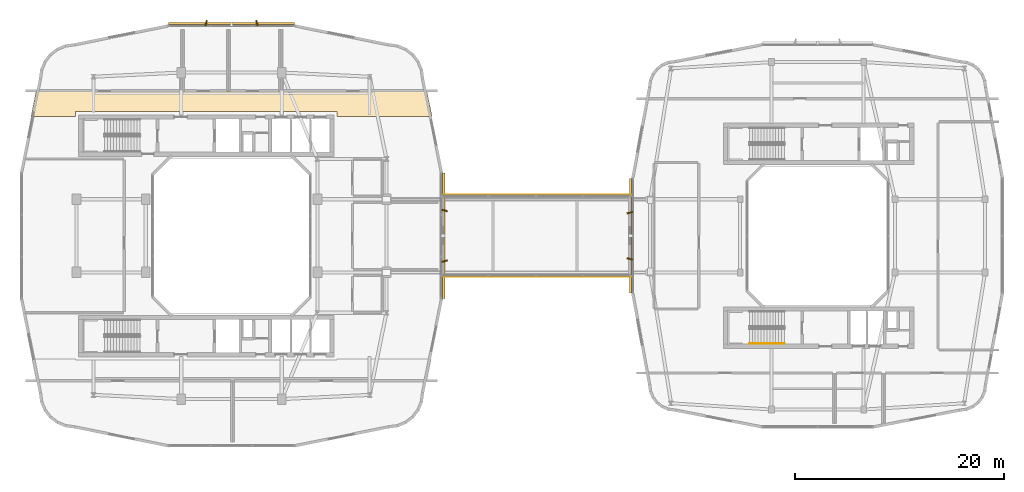
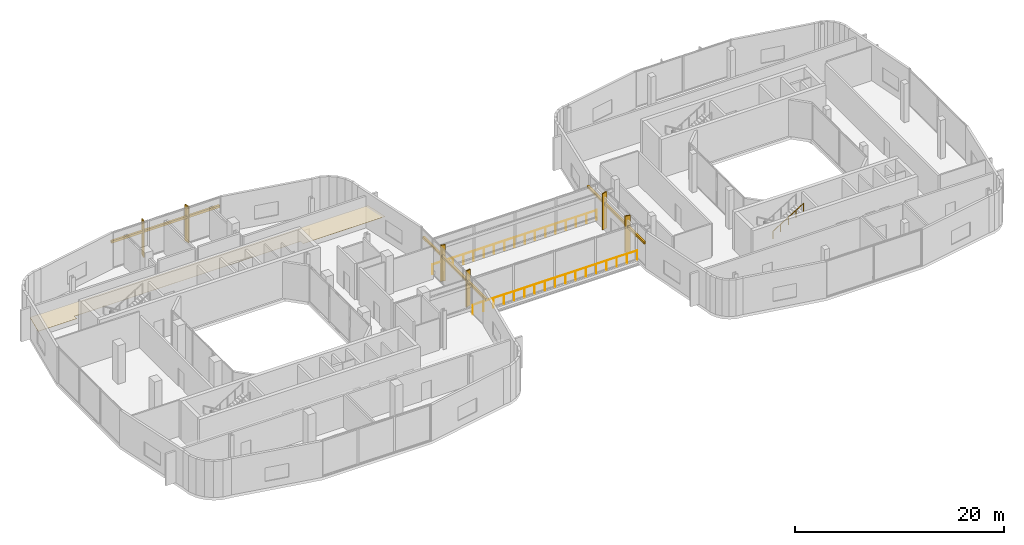
# One storey, part 23 of 24: 9 shading devices, 3 railings, 1 covering.
"""IFC4 building model written with IfcOpenShell, lengths in metres."""

from ifc_helpers import new_model, si_unit, derived_unit, direction, frame, origin, origin_2d, place, context, subcontext, project, spatial, polyline, rectangle, circle, outline, extrude, material, layer, layer_set, type_object, element, save


model = new_model("IFC4")

# Units and contexts
model_context = context("Model", 3, precision=1e-05, world=origin(), true_north=direction((0.0, 1.0)))
body_context = subcontext(model_context, "Body", "Model", "MODEL_VIEW")
ifc_project = project(units=[si_unit("LENGTHUNIT", "METRE"), si_unit("AREAUNIT", "SQUARE_METRE"), si_unit("VOLUMEUNIT", "CUBIC_METRE"), si_unit("PLANEANGLEUNIT", "RADIAN"), si_unit("MASSUNIT", "GRAM", prefix="KILO"), derived_unit("THERMALTRANSMITTANCEUNIT", [(si_unit("POWERUNIT", "WATT"), 1), (si_unit("LENGTHUNIT", "METRE"), -2), (si_unit("THERMODYNAMICTEMPERATUREUNIT", "KELVIN"), -1)])], contexts=[model_context])

# Site, building, storey
site_placement = place(None, origin())
site = spatial("IfcSite", under=ifc_project, at=site_placement, CompositionType="ELEMENT")
building_placement = place(site_placement, origin())
building = spatial("IfcBuilding", under=site, at=building_placement, Name="Kivonza Crest Hotel", CompositionType="ELEMENT")
storey_placement = place(building_placement, frame((0.0, 0.0, 119.5)))
storey = spatial("IfcBuildingStorey", under=building, at=storey_placement, Name="L32", CompositionType="ELEMENT", Elevation=119.5)

# Covering
ifc_material_1 = material(Name="Mineral-fibre acoustic ceiling tile", Category="gypsum")
ifc_layer = layer(ifc_material_1, 0.02490234375)
ifc_layer_set = layer_set([ifc_layer], Name="Mineral-fibre acoustic ceiling tile")
covering_type = type_object("IfcCoveringType", Name="CV-CEIL-ACOU", PredefinedType="CEILING", material=ifc_layer_set)
covering_placement = place(storey_placement, frame((0.0, 0.0, 2.449951171875)))
element("IfcCovering", 1, at=covering_placement, inside=storey, type_object=covering_type, Name="L32 Sky Lobby North Circulation Corridor suspended ceiling", PredefinedType="CEILING", context=body_context, shape_type="SweptSolid", body=[
    extrude(outline(polyline([(2.324951171875, 38.840087890625), (1.8359375, 36.409912109375), (6.10009765625, 36.409912109375), (6.10009765625, 36.860107421875), (31.10009765625, 36.860107421875), (31.10009765625, 36.409912109375), (40.1640625, 36.409912109375), (39.675048828125, 38.840087890625), (2.324951171875, 38.840087890625)])), origin(), (0.0, 0.0, 1.0), 0.025146484375),
])

# Railings
ifc_material_2 = material(Name="Brushed stainless steel handrail", Category="steel")
railing_type_1 = type_object("IfcRailingType", Name="RL-HAND-900", PredefinedType="HANDRAIL", material=ifc_material_2)
railing_1_placement = place(storey_placement, frame((70.47998046875, 14.7099609375, 2.423095703125)))
element("IfcRailing", 2, at=railing_1_placement, inside=storey, type_object=railing_type_1, Name="L32 ST-T2-S stair handrail 2", PredefinedType="HANDRAIL", context=body_context, shape_type="SweptSolid", body=[
    extrude(circle(Radius=0.02392578125, at=origin_2d()), frame((0.0, 0.0, 0.8759765625), z_axis=(0.850623216509, 0.0, 0.525775754039), x_axis=(0.0, 1.0, 0.0)), (0.0, 0.0, 1.0), 3.9501953125),
    extrude(circle(Radius=0.02099609375, at=origin_2d()), origin(), (0.0, 0.0, 1.0), 0.851806640625),
    extrude(circle(Radius=0.02099609375, at=origin_2d()), frame((0.840087890625, 0.0, 0.519287109375)), (0.0, 0.0, 1.0), 0.851806640625),
    extrude(circle(Radius=0.02099609375, at=origin_2d()), frame((1.68017578125, 0.0, 1.03857421875)), (0.0, 0.0, 1.0), 0.851806640625),
    extrude(circle(Radius=0.02099609375, at=origin_2d()), frame((2.52001953125, 0.0, 1.5576171875)), (0.0, 0.0, 1.0), 0.851806640625),
    extrude(circle(Radius=0.02099609375, at=origin_2d()), frame((3.360107421875, 0.0, 2.076904296875)), (0.0, 0.0, 1.0), 0.851806640625),
])
ifc_material_3 = material(Name="Laminated glass and stainless steel balustrade", Category="steel")
railing_type_2 = type_object("IfcRailingType", Name="RL-TERR-1150", PredefinedType="BALUSTRADE", material=ifc_material_3)
railing_2_placement = place(storey_placement, frame((41.050048828125, 21.1201171875, 0.0)))
element("IfcRailing", 3, at=railing_2_placement, inside=storey, type_object=railing_type_2, Name="Skybridge BR1 L32 South deck safety guard", PredefinedType="BALUSTRADE", context=body_context, shape_type="SweptSolid", body=[
    extrude(circle(Radius=0.02392578125, at=origin_2d()), frame((0.0, 0.0, 1.1259765625), z_axis=(1.0, 0.0, 0.0), x_axis=(0.0, 1.0, 0.0)), (0.0, 0.0, 1.0), 18.1298828125),
    extrude(circle(Radius=0.02099609375, at=origin_2d()), origin(), (0.0, 0.0, 1.0), 1.101806640625),
    extrude(circle(Radius=0.02099609375, at=origin_2d()), frame((1.133056640625, 0.0, 0.0)), (0.0, 0.0, 1.0), 1.101806640625),
    extrude(circle(Radius=0.02099609375, at=origin_2d()), frame((2.26611328125, 0.0, 0.0)), (0.0, 0.0, 1.0), 1.101806640625),
    extrude(circle(Radius=0.02099609375, at=origin_2d()), frame((3.3994140625, 0.0, 0.0)), (0.0, 0.0, 1.0), 1.101806640625),
    extrude(circle(Radius=0.02099609375, at=origin_2d()), frame((4.532470703125, 0.0, 0.0)), (0.0, 0.0, 1.0), 1.101806640625),
    extrude(circle(Radius=0.02099609375, at=origin_2d()), frame((5.66552734375, 0.0, 0.0)), (0.0, 0.0, 1.0), 1.101806640625),
    extrude(circle(Radius=0.02099609375, at=origin_2d()), frame((6.798828125, 0.0, 0.0)), (0.0, 0.0, 1.0), 1.101806640625),
    extrude(circle(Radius=0.02099609375, at=origin_2d()), frame((7.931884765625, 0.0, 0.0)), (0.0, 0.0, 1.0), 1.101806640625),
    extrude(circle(Radius=0.02099609375, at=origin_2d()), frame((9.06494140625, 0.0, 0.0)), (0.0, 0.0, 1.0), 1.101806640625),
    extrude(circle(Radius=0.02099609375, at=origin_2d()), frame((10.197998046875, 0.0, 0.0)), (0.0, 0.0, 1.0), 1.101806640625),
    extrude(circle(Radius=0.02099609375, at=origin_2d()), frame((11.3310546875, 0.0, 0.0)), (0.0, 0.0, 1.0), 1.101806640625),
    extrude(circle(Radius=0.02099609375, at=origin_2d()), frame((12.46435546875, 0.0, 0.0)), (0.0, 0.0, 1.0), 1.101806640625),
    extrude(circle(Radius=0.02099609375, at=origin_2d()), frame((13.597412109375, 0.0, 0.0)), (0.0, 0.0, 1.0), 1.101806640625),
    extrude(circle(Radius=0.02099609375, at=origin_2d()), frame((14.73046875, 0.0, 0.0)), (0.0, 0.0, 1.0), 1.101806640625),
    extrude(circle(Radius=0.02099609375, at=origin_2d()), frame((15.86376953125, 0.0, 0.0)), (0.0, 0.0, 1.0), 1.101806640625),
    extrude(circle(Radius=0.02099609375, at=origin_2d()), frame((16.996826171875, 0.0, 0.0)), (0.0, 0.0, 1.0), 1.101806640625),
    extrude(circle(Radius=0.02099609375, at=origin_2d()), frame((18.1298828125, 0.0, 0.0)), (0.0, 0.0, 1.0), 1.101806640625),
])
railing_3_placement = place(storey_placement, frame((41.050048828125, 28.8798828125, 0.0)))
element("IfcRailing", 4, at=railing_3_placement, inside=storey, type_object=railing_type_2, Name="Skybridge BR1 L32 North deck safety guard", PredefinedType="BALUSTRADE", context=body_context, shape_type="SweptSolid", body=[
    extrude(circle(Radius=0.02392578125, at=origin_2d()), frame((0.0, 0.0, 1.1259765625), z_axis=(1.0, 0.0, 0.0), x_axis=(0.0, 1.0, 0.0)), (0.0, 0.0, 1.0), 18.1298828125),
    extrude(circle(Radius=0.02099609375, at=origin_2d()), origin(), (0.0, 0.0, 1.0), 1.101806640625),
    extrude(circle(Radius=0.02099609375, at=origin_2d()), frame((1.133056640625, 0.0, 0.0)), (0.0, 0.0, 1.0), 1.101806640625),
    extrude(circle(Radius=0.02099609375, at=origin_2d()), frame((2.26611328125, 0.0, 0.0)), (0.0, 0.0, 1.0), 1.101806640625),
    extrude(circle(Radius=0.02099609375, at=origin_2d()), frame((3.3994140625, 0.0, 0.0)), (0.0, 0.0, 1.0), 1.101806640625),
    extrude(circle(Radius=0.02099609375, at=origin_2d()), frame((4.532470703125, 0.0, 0.0)), (0.0, 0.0, 1.0), 1.101806640625),
    extrude(circle(Radius=0.02099609375, at=origin_2d()), frame((5.66552734375, 0.0, 0.0)), (0.0, 0.0, 1.0), 1.101806640625),
    extrude(circle(Radius=0.02099609375, at=origin_2d()), frame((6.798828125, 0.0, 0.0)), (0.0, 0.0, 1.0), 1.101806640625),
    extrude(circle(Radius=0.02099609375, at=origin_2d()), frame((7.931884765625, 0.0, 0.0)), (0.0, 0.0, 1.0), 1.101806640625),
    extrude(circle(Radius=0.02099609375, at=origin_2d()), frame((9.06494140625, 0.0, 0.0)), (0.0, 0.0, 1.0), 1.101806640625),
    extrude(circle(Radius=0.02099609375, at=origin_2d()), frame((10.197998046875, 0.0, 0.0)), (0.0, 0.0, 1.0), 1.101806640625),
    extrude(circle(Radius=0.02099609375, at=origin_2d()), frame((11.3310546875, 0.0, 0.0)), (0.0, 0.0, 1.0), 1.101806640625),
    extrude(circle(Radius=0.02099609375, at=origin_2d()), frame((12.46435546875, 0.0, 0.0)), (0.0, 0.0, 1.0), 1.101806640625),
    extrude(circle(Radius=0.02099609375, at=origin_2d()), frame((13.597412109375, 0.0, 0.0)), (0.0, 0.0, 1.0), 1.101806640625),
    extrude(circle(Radius=0.02099609375, at=origin_2d()), frame((14.73046875, 0.0, 0.0)), (0.0, 0.0, 1.0), 1.101806640625),
    extrude(circle(Radius=0.02099609375, at=origin_2d()), frame((15.86376953125, 0.0, 0.0)), (0.0, 0.0, 1.0), 1.101806640625),
    extrude(circle(Radius=0.02099609375, at=origin_2d()), frame((16.996826171875, 0.0, 0.0)), (0.0, 0.0, 1.0), 1.101806640625),
    extrude(circle(Radius=0.02099609375, at=origin_2d()), frame((18.1298828125, 0.0, 0.0)), (0.0, 0.0, 1.0), 1.101806640625),
])

# Shading devices
ifc_material_4 = material(Name="Kiln-fired Nairobi red-ochre terracotta", Category="masonry")
shading_device_type_1 = type_object("IfcShadingDeviceType", Name="SH-BAGUETTE-300", PredefinedType="USERDEFINED", material=ifc_material_4)
for number, where, z_axis, x_axis, name in (
    (5, (41.280029296875, 25.0, 2.82421875), (0.0, 0.0, 1.0), (0.0, 1.0, 0.0), "L32 terracotta baguette screen CW-T1-L32-17"),
    (6, (21.0, 45.280029296875, 2.82421875), (0.0, 0.0, 1.0), (-1.0, 0.0, 0.0), "L32 terracotta baguette screen CW-T1-L32-26"),
):
    element("IfcShadingDevice", number, at=place(storey_placement, frame(where, z_axis=z_axis, x_axis=x_axis)), inside=storey, type_object=shading_device_type_1, Name=name, ObjectType="BAGUETTE", PredefinedType="USERDEFINED", context=body_context, shape_type="SweptSolid", body=[
        extrude(rectangle(XDim=12.0, YDim=0.219970703125, at=origin_2d()), origin(), (0.0, 0.0, 1.0), 0.260009765625),
    ])
shading_device_placement = place(storey_placement, frame((59.1201171875, 25.0, 2.84521484375), z_axis=(0.0, 0.0, 1.0), x_axis=(0.0, -1.0, 0.0)))
element("IfcShadingDevice", 7, at=shading_device_placement, inside=storey, type_object=shading_device_type_1, Name="L32 terracotta baguette screen CW-T2-L32-35", ObjectType="BAGUETTE", PredefinedType="USERDEFINED", context=body_context, shape_type="SweptSolid", body=[
    extrude(rectangle(XDim=10.919921875, YDim=0.219970703125, at=origin_2d()), origin(), (0.0, 0.0, 1.0), 0.260009765625),
])
ifc_material_5 = material(Name="Kiln-fired terracotta over extruded aluminium spine", Category="masonry")
shading_device_type_2 = type_object("IfcShadingDeviceType", Name="SH-FIN-550", PredefinedType="USERDEFINED", material=ifc_material_5)
for number, where, z_axis, x_axis, name in (
    (8, (41.340087890625, 22.575927734375, 0.0), (0.0, 0.0, 1.0), (-0.2419218956, 0.970295726276, 0.0), "L32 vertical solar shading fin CW-T1-L32-17-1"),
    (9, (41.340087890625, 27.424072265625, 0.0), (0.0, 0.0, 1.0), (0.2419218956, 0.970295726276, 0.0), "L32 vertical solar shading fin CW-T1-L32-17-2"),
    (10, (23.424072265625, 45.340087890625, 0.0), (0.0, 0.0, 1.0), (-0.970295726276, -0.2419218956, 0.0), "L32 vertical solar shading fin CW-T1-L32-26-1"),
    (11, (18.575927734375, 45.340087890625, 0.0), (0.0, 0.0, 1.0), (-0.970295726276, 0.2419218956, 0.0), "L32 vertical solar shading fin CW-T1-L32-26-2"),
):
    element("IfcShadingDevice", number, at=place(storey_placement, frame(where, z_axis=z_axis, x_axis=x_axis)), inside=storey, type_object=shading_device_type_2, Name=name, ObjectType="FIN", PredefinedType="USERDEFINED", context=body_context, shape_type="SweptSolid", body=[
        extrude(rectangle(XDim=0.1201171875, YDim=0.550048828125, at=origin_2d()), origin(), (0.0, 0.0, 1.0), 4.219970703125),
    ])
for number, where, z_axis, x_axis, name in (
    (12, (59.06005859375, 27.2080078125, 0.0), (0.0, 0.0, 1.0), (0.2419218956, -0.970295726276, 0.0), "L32 vertical solar shading fin CW-T2-L32-35-1"),
    (13, (59.06005859375, 22.7919921875, 0.0), (0.0, 0.0, 1.0), (-0.2419218956, -0.970295726276, 0.0), "L32 vertical solar shading fin CW-T2-L32-35-2"),
):
    element("IfcShadingDevice", number, at=place(storey_placement, frame(where, z_axis=z_axis, x_axis=x_axis)), inside=storey, type_object=shading_device_type_2, Name=name, ObjectType="FIN", PredefinedType="USERDEFINED", context=body_context, shape_type="SweptSolid", body=[
        extrude(rectangle(XDim=0.1201171875, YDim=0.550048828125, at=origin_2d()), origin(), (0.0, 0.0, 1.0), 4.25),
    ])

save(model, "model.ifc")
